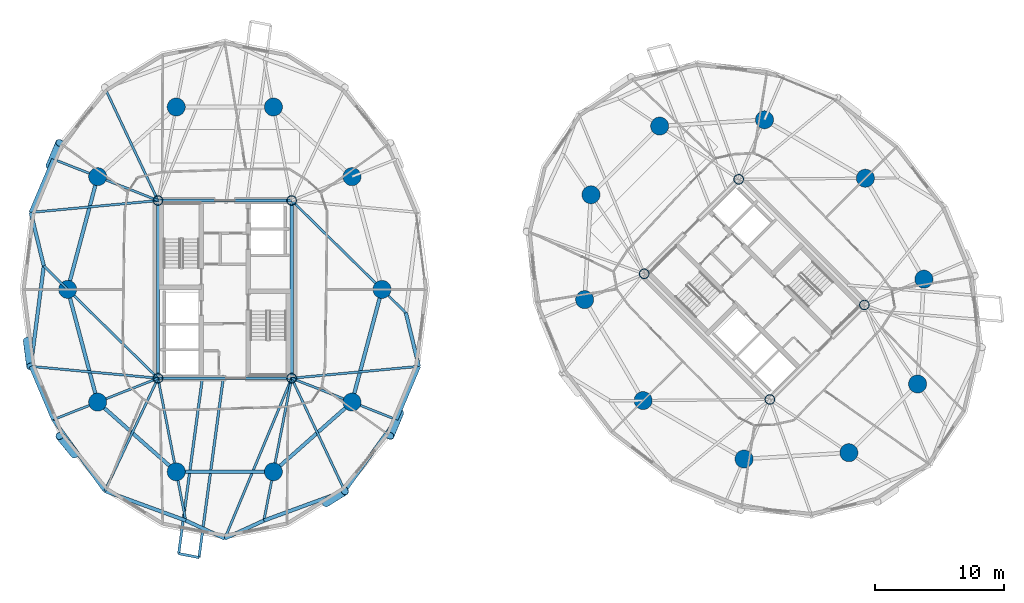
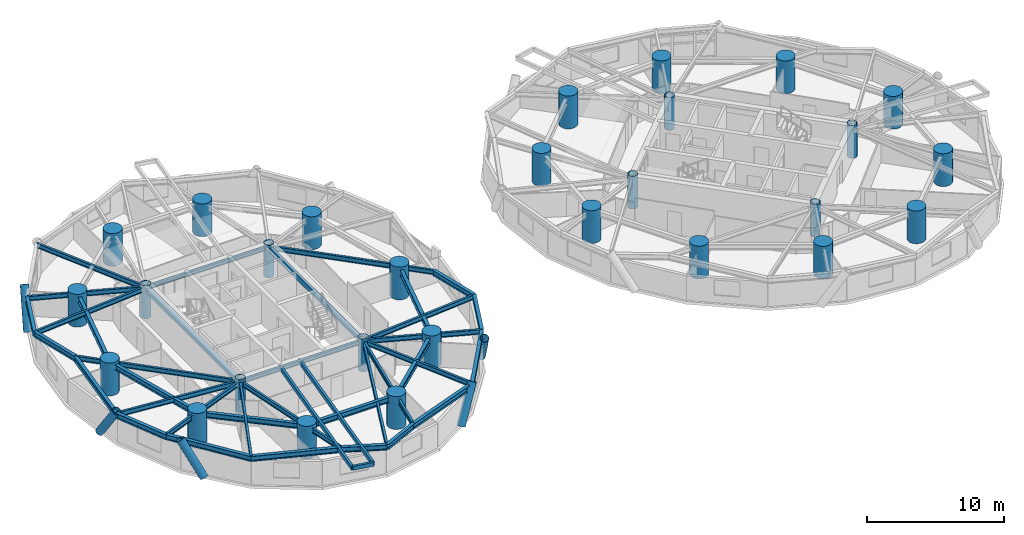
# One storey, part 1 of 16: 40 beams, 28 columns, 5 members.
"""IFC4 building model written with IfcOpenShell, lengths in metres."""

from ifc_helpers import new_model, si_unit, direction, frame, origin, origin_2d, place, context, subcontext, project, spatial, hollow_rectangle, circle, hollow_circle, i_section, extrude, material, material_profile, profile_set, type_object, element, save


model = new_model("IFC4")

# Units and contexts
model_context = context("Model", 3, precision=1e-05, world=origin(), true_north=direction((0.0, 1.0)))
body_context = subcontext(model_context, "Body", "Model", "MODEL_VIEW")
ifc_project = project(units=[si_unit("LENGTHUNIT", "METRE"), si_unit("AREAUNIT", "SQUARE_METRE"), si_unit("VOLUMEUNIT", "CUBIC_METRE"), si_unit("PLANEANGLEUNIT", "RADIAN"), si_unit("MASSUNIT", "GRAM", prefix="KILO")], contexts=[model_context])

# Site, building, storey
site_placement = place(None, origin())
site = spatial("IfcSite", under=ifc_project, at=site_placement, CompositionType="ELEMENT")
building_placement = place(site_placement, origin())
building = spatial("IfcBuilding", under=site, at=building_placement, Name="Cununo Teusaquillo Station Towers", CompositionType="ELEMENT")
storey_placement = place(building_placement, frame((0.0, 0.0, 99.25)))
storey = spatial("IfcBuildingStorey", under=building, at=storey_placement, Name="L31", CompositionType="ELEMENT", Elevation=99.25)

# Columns
ifc_material_1 = material(Name="Steel EN 10025-2 S355J2", Category="steel")
ifc_material_profile_1 = material_profile(ifc_material_1, hollow_circle(Radius=0.3798828125, WallThickness=0.031982421875, at=origin_2d()), Name="CHS 760x32")
ifc_profile_set_1 = profile_set([ifc_material_profile_1], Name="Steel EN 10025-2 S355J2")
column_type_1 = type_object("IfcColumnType", Name="COL-CORE-Z2", PredefinedType="COLUMN", material=ifc_profile_set_1)
for number, where, z_axis, x_axis, name in (
    (1, (11.324951171875, 17.6201171875, 0.0), (0.0, 0.0, 1.0), (1.0, 0.0, 0.0), "L31 Tower A Core Column 1"),
    (2, (11.324951171875, 31.3798828125, 0.0), (0.0, 0.0, 1.0), (1.0, 0.0, 0.0), "L31 Tower A Core Column 2"),
    (3, (21.675048828125, 17.6201171875, 0.0), (0.0, 0.0, 1.0), (1.0, 0.0, 0.0), "L31 Tower A Core Column 3"),
    (4, (21.675048828125, 31.3798828125, 0.0), (0.0, 0.0, 1.0), (1.0, 0.0, 0.0), "L31 Tower A Core Column 4"),
    (5, (58.70556640625, 15.975830078125, 0.0), (0.0, 0.0, 1.0), (0.707106781187, 0.707106781187, 0.0), "L31 Tower B Core Column 1"),
    (6, (48.975830078125, 25.70556640625, 0.0), (0.0, 0.0, 1.0), (0.707106781187, 0.707106781187, 0.0), "L31 Tower B Core Column 2"),
    (7, (66.024169921875, 23.29443359375, 0.0), (0.0, 0.0, 1.0), (0.707106781187, 0.707106781187, 0.0), "L31 Tower B Core Column 3"),
    (8, (56.29443359375, 33.024169921875, 0.0), (0.0, 0.0, 1.0), (0.707106781187, 0.707106781187, 0.0), "L31 Tower B Core Column 4"),
):
    element("IfcColumn", number, at=place(storey_placement, frame(where, z_axis=z_axis, x_axis=x_axis)), inside=storey, type_object=column_type_1, Name=name, PredefinedType="COLUMN", context=body_context, shape_type="SweptSolid", body=[
        extrude(hollow_circle(Radius=0.3798828125, WallThickness=0.031982421875, at=origin_2d()), origin(), (0.0, 0.0, 1.0), 2.909912109375),
    ])
ifc_material_2 = material(Name="Concrete C60/75", Category="concrete")
ifc_material_profile_2 = material_profile(ifc_material_2, circle(Radius=0.699951171875, at=origin_2d()), Name="RC-CIRC-1400")
ifc_profile_set_2 = profile_set([ifc_material_profile_2], Name="Concrete C60/75")
column_type_2 = type_object("IfcColumnType", Name="COL-MEGA-Z2", PredefinedType="USERDEFINED", material=ifc_profile_set_2)
for number, where, z_axis, x_axis, name in (
    (9, (28.672119140625, 24.5, 0.0), (0.0, 0.0, 1.0), (1.0, 0.0, 0.0), "L31 Tower A Perimeter Column V00"),
    (10, (26.347412109375, 33.228515625, 0.0), (0.0, 0.0, 1.0), (1.0, 0.0, 0.0), "L31 Tower A Perimeter Column V02"),
    (11, (20.261474609375, 38.623291015625, 0.0), (0.0, 0.0, 1.0), (1.0, 0.0, 0.0), "L31 Tower A Perimeter Column V04"),
    (12, (12.738525390625, 38.623291015625, 0.0), (0.0, 0.0, 1.0), (1.0, 0.0, 0.0), "L31 Tower A Perimeter Column V06"),
    (13, (6.652587890625, 33.228515625, 0.0), (0.0, 0.0, 1.0), (1.0, 0.0, 0.0), "L31 Tower A Perimeter Column V08"),
    (14, (4.327880859375, 24.5, 0.0), (0.0, 0.0, 1.0), (1.0, 0.0, 0.0), "L31 Tower A Perimeter Column V10"),
    (15, (6.652587890625, 15.771484375, 0.0), (0.0, 0.0, 1.0), (1.0, 0.0, 0.0), "L31 Tower A Perimeter Column V12"),
    (16, (12.738525390625, 10.376708984375, 0.0), (0.0, 0.0, 1.0), (1.0, 0.0, 0.0), "L31 Tower A Perimeter Column V14"),
    (17, (20.261474609375, 10.376708984375, 0.0), (0.0, 0.0, 1.0), (1.0, 0.0, 0.0), "L31 Tower A Perimeter Column V16"),
    (18, (26.347412109375, 15.771484375, 0.0), (0.0, 0.0, 1.0), (1.0, 0.0, 0.0), "L31 Tower A Perimeter Column V18"),
    (19, (66.10693359375, 33.10693359375, 0.0), (0.0, 0.0, 1.0), (1.0, 0.0, 0.0), "L31 Tower B Perimeter Column V00"),
    (20, (58.291015625, 37.63525390625, 0.0), (0.0, 0.0, 1.0), (1.0, 0.0, 0.0), "L31 Tower B Perimeter Column V02"),
    (21, (50.173095703125, 37.146240234375, 0.0), (0.0, 0.0, 1.0), (1.0, 0.0, 0.0), "L31 Tower B Perimeter Column V04"),
    (22, (44.853759765625, 31.826904296875, 0.0), (0.0, 0.0, 1.0), (1.0, 0.0, 0.0), "L31 Tower B Perimeter Column V06"),
    (23, (44.36474609375, 23.708984375, 0.0), (0.0, 0.0, 1.0), (1.0, 0.0, 0.0), "L31 Tower B Perimeter Column V08"),
    (24, (48.89306640625, 15.89306640625, 0.0), (0.0, 0.0, 1.0), (1.0, 0.0, 0.0), "L31 Tower B Perimeter Column V10"),
    (25, (56.708984375, 11.36474609375, 0.0), (0.0, 0.0, 1.0), (1.0, 0.0, 0.0), "L31 Tower B Perimeter Column V12"),
    (26, (64.826904296875, 11.853759765625, 0.0), (0.0, 0.0, 1.0), (1.0, 0.0, 0.0), "L31 Tower B Perimeter Column V14"),
    (27, (70.146240234375, 17.173095703125, 0.0), (0.0, 0.0, 1.0), (1.0, 0.0, 0.0), "L31 Tower B Perimeter Column V16"),
    (28, (70.63525390625, 25.291015625, 0.0), (0.0, 0.0, 1.0), (1.0, 0.0, 0.0), "L31 Tower B Perimeter Column V18"),
):
    element("IfcColumn", number, at=place(storey_placement, frame(where, z_axis=z_axis, x_axis=x_axis)), inside=storey, type_object=column_type_2, Name=name, ObjectType="MEGA COLUMN", PredefinedType="USERDEFINED", context=body_context, shape_type="SweptSolid", body=[
        extrude(circle(Radius=0.699951171875, at=origin_2d()), origin(), (0.0, 0.0, 1.0), 2.909912109375),
    ])

# Beams
ifc_material_3 = material(Name="Steel EN 10025-2 S355J2", Category="steel")
ifc_material_profile_3 = material_profile(ifc_material_3, hollow_rectangle(XDim=0.199951171875, YDim=0.35009765625, WallThickness=0.013916015625, at=origin_2d()), Name="RHS 350x200x14")
ifc_profile_set_3 = profile_set([ifc_material_profile_3], Name="Steel EN 10025-2 S355J2")
beam_type_1 = type_object("IfcBeamType", Name="BM-BAL-CANT", PredefinedType="BEAM", material=ifc_profile_set_3)
beam_1_placement = place(storey_placement, frame((14.793701171875, 17.85009765625, 2.4951171875), z_axis=(-0.133960678738, -0.990986648019, 0.0), x_axis=(0.990986648019, -0.133960678738, 0.0)))
element("IfcBeam", 29, at=beam_1_placement, inside=storey, type_object=beam_type_1, Name="L31 Tower A Balcony Cantilever Bracket 2A", PredefinedType="BEAM", context=body_context, shape_type="SweptSolid", body=[
    extrude(hollow_rectangle(XDim=0.199951171875, YDim=0.35009765625, WallThickness=0.013916015625, at=origin_2d()), origin(), (0.0, 0.0, 1.0), 13.9345703125),
])
beam_2_placement = place(storey_placement, frame((16.40869140625, 17.85009765625, 2.4951171875), z_axis=(-0.133936551357, -0.990989909237, 0.0), x_axis=(0.990989909237, -0.133936551357, 0.0)))
element("IfcBeam", 30, at=beam_2_placement, inside=storey, type_object=beam_type_1, Name="L31 Tower A Balcony Cantilever Bracket 2B", PredefinedType="BEAM", context=body_context, shape_type="SweptSolid", body=[
    extrude(hollow_rectangle(XDim=0.199951171875, YDim=0.35009765625, WallThickness=0.013916015625, at=origin_2d()), origin(), (0.0, 0.0, 1.0), 14.24169921875),
])
ifc_material_4 = material(Name="Steel EN 10025-2 S355J2", Category="steel")
ifc_material_profile_4 = material_profile(ifc_material_4, hollow_rectangle(XDim=0.25, YDim=0.449951171875, WallThickness=0.01611328125, at=origin_2d()), Name="RHS 450x250x16")
ifc_profile_set_4 = profile_set([ifc_material_profile_4], Name="Steel EN 10025-2 S355J2")
beam_type_2 = type_object("IfcBeamType", Name="BM-COUP-1", PredefinedType="USERDEFINED", material=ifc_profile_set_4)
for number, where, z_axis, x_axis, name in (
    (31, (11.324951171875, 17.6201171875, 2.445068359375), (0.0, 1.0, 0.0), (-1.0, 0.0, 0.0), "L31 Tower A Core Beam 1"),
    (32, (21.675048828125, 17.6201171875, 2.445068359375), (0.0, 1.0, 0.0), (-1.0, 0.0, 0.0), "L31 Tower A Core Beam 2"),
):
    element("IfcBeam", number, at=place(storey_placement, frame(where, z_axis=z_axis, x_axis=x_axis)), inside=storey, type_object=beam_type_2, Name=name, ObjectType="COUPLING BEAM", PredefinedType="USERDEFINED", context=body_context, shape_type="SweptSolid", body=[
        extrude(hollow_rectangle(XDim=0.25, YDim=0.449951171875, WallThickness=0.01611328125, at=origin_2d()), origin(), (0.0, 0.0, 1.0), 13.759765625),
    ])
ifc_material_5 = material(Name="Steel ASTM A572 Grade 50", Category="steel")
ifc_material_profile_5 = material_profile(ifc_material_5, i_section(OverallWidth=0.180908203125, OverallDepth=0.4169921875, WebThickness=0.010986328125, FlangeThickness=0.018310546875, FilletRadius=0.012939453125, at=origin_2d()), Name="W16X57")
ifc_profile_set_5 = profile_set([ifc_material_profile_5], Name="Steel ASTM A572 Grade 50")
beam_type_3 = type_object("IfcBeamType", Name="BM-JOIST-1", PredefinedType="JOIST", material=ifc_profile_set_5)
beam_3_placement = place(storey_placement, frame((11.324951171875, 31.3798828125, 2.46142578125), z_axis=(-0.426319838016, 0.904572493344, 0.0), x_axis=(-0.904572493344, -0.426319838016, 0.0)))
element("IfcBeam", 33, at=beam_3_placement, inside=storey, type_object=beam_type_3, Name="L31 Tower A Radial Spandrel Joist V07", PredefinedType="JOIST", context=body_context, shape_type="SweptSolid", body=[
    extrude(i_section(OverallWidth=0.180908203125, OverallDepth=0.4169921875, WebThickness=0.010986328125, FlangeThickness=0.018310546875, FilletRadius=0.012939453125, at=origin_2d()), origin(), (0.0, 0.0, 1.0), 9.646728515625),
])
for number, where, z_axis, x_axis, name in (
    (34, (11.324951171875, 31.3798828125, 2.46142578125), (-0.995678537907, -0.09286683558, 0.0), (0.09286683558, -0.995678537907, 0.0), "L31 Tower A Radial Spandrel Joist V09"),
    (35, (11.324951171875, 17.6201171875, 2.46142578125), (-0.995678537907, 0.09286683558, 0.0), (-0.09286683558, -0.995678537907, 0.0), "L31 Tower A Radial Spandrel Joist V11"),
):
    element("IfcBeam", number, at=place(storey_placement, frame(where, z_axis=z_axis, x_axis=x_axis)), inside=storey, type_object=beam_type_3, Name=name, PredefinedType="JOIST", context=body_context, shape_type="SweptSolid", body=[
        extrude(i_section(OverallWidth=0.180908203125, OverallDepth=0.4169921875, WebThickness=0.010986328125, FlangeThickness=0.018310546875, FilletRadius=0.012939453125, at=origin_2d()), origin(), (0.0, 0.0, 1.0), 9.895263671875),
    ])
beam_4_placement = place(storey_placement, frame((11.324951171875, 17.6201171875, 2.46142578125), z_axis=(-0.426319838016, -0.904572493344, 0.0), x_axis=(0.904572493344, -0.426319838016, 0.0)))
element("IfcBeam", 36, at=beam_4_placement, inside=storey, type_object=beam_type_3, Name="L31 Tower A Radial Spandrel Joist V13", PredefinedType="JOIST", context=body_context, shape_type="SweptSolid", body=[
    extrude(i_section(OverallWidth=0.180908203125, OverallDepth=0.4169921875, WebThickness=0.010986328125, FlangeThickness=0.018310546875, FilletRadius=0.012939453125, at=origin_2d()), origin(), (0.0, 0.0, 1.0), 9.646728515625),
])
beam_5_placement = place(storey_placement, frame((21.675048828125, 17.6201171875, 2.46142578125), z_axis=(-0.38487837995, -0.922967297713, 0.0), x_axis=(0.922967297713, -0.38487837995, 0.0)))
element("IfcBeam", 37, at=beam_5_placement, inside=storey, type_object=beam_type_3, Name="L31 Tower A Radial Spandrel Joist V15", PredefinedType="JOIST", context=body_context, shape_type="SweptSolid", body=[
    extrude(i_section(OverallWidth=0.180908203125, OverallDepth=0.4169921875, WebThickness=0.010986328125, FlangeThickness=0.018310546875, FilletRadius=0.012939453125, at=origin_2d()), origin(), (0.0, 0.0, 1.0), 13.446044921875),
])
beam_6_placement = place(storey_placement, frame((21.675048828125, 17.6201171875, 2.46142578125), z_axis=(0.426319838016, -0.904572493344, 0.0), x_axis=(0.904572493344, 0.426319838016, 0.0)))
element("IfcBeam", 38, at=beam_6_placement, inside=storey, type_object=beam_type_3, Name="L31 Tower A Radial Spandrel Joist V17", PredefinedType="JOIST", context=body_context, shape_type="SweptSolid", body=[
    extrude(i_section(OverallWidth=0.180908203125, OverallDepth=0.4169921875, WebThickness=0.010986328125, FlangeThickness=0.018310546875, FilletRadius=0.012939453125, at=origin_2d()), origin(), (0.0, 0.0, 1.0), 9.646728515625),
])
beam_7_placement = place(storey_placement, frame((21.675048828125, 17.6201171875, 2.46142578125), z_axis=(0.995678537907, 0.09286683558, 0.0), x_axis=(-0.09286683558, 0.995678537907, 0.0)))
element("IfcBeam", 39, at=beam_7_placement, inside=storey, type_object=beam_type_3, Name="L31 Tower A Radial Spandrel Joist V19", PredefinedType="JOIST", context=body_context, shape_type="SweptSolid", body=[
    extrude(i_section(OverallWidth=0.180908203125, OverallDepth=0.4169921875, WebThickness=0.010986328125, FlangeThickness=0.018310546875, FilletRadius=0.012939453125, at=origin_2d()), origin(), (0.0, 0.0, 1.0), 9.895263671875),
])
ifc_material_6 = material(Name="Steel ASTM A572 Grade 50", Category="steel")
ifc_material_profile_6 = material_profile(ifc_material_6, i_section(OverallWidth=0.2041015625, OverallDepth=0.35009765625, WebThickness=0.008544921875, FlangeThickness=0.01513671875, FilletRadius=0.011962890625, at=origin_2d()), Name="W14X48")
ifc_profile_set_6 = profile_set([ifc_material_profile_6], Name="Steel ASTM A572 Grade 50")
beam_type_4 = type_object("IfcBeamType", Name="BM-LINTEL-1", PredefinedType="LINTEL", material=ifc_profile_set_6)
for number, where, z_axis, x_axis, name in (
    (40, (11.324951171875, 17.6201171875, 2.4951171875), (1.0, 0.0, 0.0), (0.0, 1.0, 0.0), "L31 Tower A Core Beam 3"),
    (41, (11.324951171875, 31.3798828125, 2.4951171875), (1.0, 0.0, 0.0), (0.0, 1.0, 0.0), "L31 Tower A Core Beam 4"),
):
    element("IfcBeam", number, at=place(storey_placement, frame(where, z_axis=z_axis, x_axis=x_axis)), inside=storey, type_object=beam_type_4, Name=name, PredefinedType="LINTEL", context=body_context, shape_type="SweptSolid", body=[
        extrude(i_section(OverallWidth=0.2041015625, OverallDepth=0.35009765625, WebThickness=0.008544921875, FlangeThickness=0.01513671875, FilletRadius=0.011962890625, at=origin_2d()), origin(), (0.0, 0.0, 1.0), 10.35009765625),
    ])
ifc_material_7 = material(Name="Steel ASTM A572 Grade 50", Category="steel")
ifc_material_profile_7 = material_profile(ifc_material_7, i_section(OverallWidth=0.180908203125, OverallDepth=0.4169921875, WebThickness=0.010986328125, FlangeThickness=0.018310546875, FilletRadius=0.012939453125, at=origin_2d()), Name="W16X57")
ifc_profile_set_7 = profile_set([ifc_material_profile_7], Name="Steel ASTM A572 Grade 50")
beam_type_5 = type_object("IfcBeamType", Name="BM-RAD-G2", PredefinedType="BEAM", material=ifc_profile_set_7)
beam_8_placement = place(storey_placement, frame((21.675048828125, 31.3798828125, 2.46142578125), z_axis=(0.713047137857, -0.701116095375, 0.0), x_axis=(0.701116095375, 0.713047137857, 0.0)))
element("IfcBeam", 42, at=beam_8_placement, inside=storey, type_object=beam_type_5, Name="L31 Tower A Continuous Overhanging Radial Girder 01", PredefinedType="BEAM", context=body_context, shape_type="SweptSolid", body=[
    extrude(i_section(OverallWidth=0.180908203125, OverallDepth=0.4169921875, WebThickness=0.010986328125, FlangeThickness=0.018310546875, FilletRadius=0.012939453125, at=origin_2d()), origin(), (0.0, 0.0, 1.0), 12.400390625),
])
beam_9_placement = place(storey_placement, frame((11.324951171875, 31.3798828125, 2.46142578125), z_axis=(-0.929863123823, 0.367905654963, 0.0), x_axis=(-0.367905654963, -0.929863123823, 0.0)))
element("IfcBeam", 43, at=beam_9_placement, inside=storey, type_object=beam_type_5, Name="L31 Tower A Continuous Overhanging Radial Girder 05", PredefinedType="BEAM", context=body_context, shape_type="SweptSolid", body=[
    extrude(i_section(OverallWidth=0.180908203125, OverallDepth=0.4169921875, WebThickness=0.010986328125, FlangeThickness=0.018310546875, FilletRadius=0.012939453125, at=origin_2d()), origin(), (0.0, 0.0, 1.0), 8.715087890625),
])
beam_10_placement = place(storey_placement, frame((11.324951171875, 17.6201171875, 2.46142578125), z_axis=(-0.713052701438, 0.701110437073, 0.0), x_axis=(-0.701110437073, -0.713052701438, 0.0)))
element("IfcBeam", 44, at=beam_10_placement, inside=storey, type_object=beam_type_5, Name="L31 Tower A Radial Girder 06A", PredefinedType="BEAM", context=body_context, shape_type="SweptSolid", body=[
    extrude(i_section(OverallWidth=0.180908203125, OverallDepth=0.4169921875, WebThickness=0.010986328125, FlangeThickness=0.018310546875, FilletRadius=0.012939453125, at=origin_2d()), origin(), (0.0, 0.0, 1.0), 9.812744140625),
])
beam_11_placement = place(storey_placement, frame((4.327880859375, 24.5, 2.46142578125), z_axis=(-0.7130260383, 0.701137553342, 0.0), x_axis=(-0.701137553342, -0.7130260383, 0.0)))
element("IfcBeam", 45, at=beam_11_placement, inside=storey, type_object=beam_type_5, Name="L31 Tower A Perimeter Overhang Girder 06B", PredefinedType="BEAM", context=body_context, shape_type="SweptSolid", body=[
    extrude(i_section(OverallWidth=0.180908203125, OverallDepth=0.4169921875, WebThickness=0.010986328125, FlangeThickness=0.018310546875, FilletRadius=0.012939453125, at=origin_2d()), origin(), (0.0, 0.0, 1.0), 2.58740234375),
])
beam_12_placement = place(storey_placement, frame((11.324951171875, 17.6201171875, 2.46142578125), z_axis=(-0.929863123823, -0.367905654963, 0.0), x_axis=(0.367905654963, -0.929863123823, 0.0)))
element("IfcBeam", 46, at=beam_12_placement, inside=storey, type_object=beam_type_5, Name="L31 Tower A Continuous Overhanging Radial Girder 07", PredefinedType="BEAM", context=body_context, shape_type="SweptSolid", body=[
    extrude(i_section(OverallWidth=0.180908203125, OverallDepth=0.4169921875, WebThickness=0.010986328125, FlangeThickness=0.018310546875, FilletRadius=0.012939453125, at=origin_2d()), origin(), (0.0, 0.0, 1.0), 8.715087890625),
])
for number, where, z_axis, x_axis, name in (
    (47, (11.324951171875, 17.6201171875, 2.46142578125), (0.191552755713, -0.981482318628, 0.0), (0.981482318628, 0.191552755713, 0.0), "L31 Tower A Continuous Overhanging Radial Girder 08"),
    (48, (21.675048828125, 17.6201171875, 2.46142578125), (-0.191552755713, -0.981482318628, 0.0), (0.981482318628, -0.191552755713, 0.0), "L31 Tower A Continuous Overhanging Radial Girder 09"),
):
    element("IfcBeam", number, at=place(storey_placement, frame(where, z_axis=z_axis, x_axis=x_axis)), inside=storey, type_object=beam_type_5, Name=name, PredefinedType="BEAM", context=body_context, shape_type="SweptSolid", body=[
        extrude(i_section(OverallWidth=0.180908203125, OverallDepth=0.4169921875, WebThickness=0.010986328125, FlangeThickness=0.018310546875, FilletRadius=0.012939453125, at=origin_2d()), origin(), (0.0, 0.0, 1.0), 11.22998046875),
    ])
beam_13_placement = place(storey_placement, frame((21.675048828125, 17.6201171875, 2.46142578125), z_axis=(0.929863123823, -0.367905654963, 0.0), x_axis=(0.367905654963, 0.929863123823, 0.0)))
element("IfcBeam", 49, at=beam_13_placement, inside=storey, type_object=beam_type_5, Name="L31 Tower A Continuous Overhanging Radial Girder 10", PredefinedType="BEAM", context=body_context, shape_type="SweptSolid", body=[
    extrude(i_section(OverallWidth=0.180908203125, OverallDepth=0.4169921875, WebThickness=0.010986328125, FlangeThickness=0.018310546875, FilletRadius=0.012939453125, at=origin_2d()), origin(), (0.0, 0.0, 1.0), 8.715087890625),
])
ifc_material_8 = material(Name="Steel ASTM A572 Grade 50", Category="steel")
ifc_material_profile_8 = material_profile(ifc_material_8, i_section(OverallWidth=0.280029296875, OverallDepth=0.462890625, WebThickness=0.0107421875, FlangeThickness=0.017333984375, FilletRadius=0.013916015625, at=origin_2d()), Name="W18X76")
ifc_profile_set_8 = profile_set([ifc_material_profile_8], Name="Steel ASTM A572 Grade 50")
beam_type_6 = type_object("IfcBeamType", Name="BM-RING-Z2", PredefinedType="SPANDREL", material=ifc_profile_set_8)
for number, where, z_axis, x_axis, name in (
    (50, (6.652587890625, 33.228515625, 2.4384765625), (-0.257363196347, -0.966314744359, 0.0), (0.966314744359, -0.257363196347, 0.0), "L31 Tower A Structural Column Ring Girder 05"),
    (51, (4.327880859375, 24.5, 2.4384765625), (0.257363196347, -0.966314744359, 0.0), (0.966314744359, 0.257363196347, 0.0), "L31 Tower A Structural Column Ring Girder 06"),
):
    element("IfcBeam", number, at=place(storey_placement, frame(where, z_axis=z_axis, x_axis=x_axis)), inside=storey, type_object=beam_type_6, Name=name, PredefinedType="SPANDREL", context=body_context, shape_type="SweptSolid", body=[
        extrude(i_section(OverallWidth=0.280029296875, OverallDepth=0.462890625, WebThickness=0.0107421875, FlangeThickness=0.017333984375, FilletRadius=0.013916015625, at=origin_2d()), origin(), (0.0, 0.0, 1.0), 9.03271484375),
    ])
beam_14_placement = place(storey_placement, frame((6.652587890625, 15.771484375, 2.4384765625), z_axis=(0.74832120039, -0.66333655187, 0.0), x_axis=(0.66333655187, 0.74832120039, 0.0)))
element("IfcBeam", 52, at=beam_14_placement, inside=storey, type_object=beam_type_6, Name="L31 Tower A Structural Column Ring Girder 07", PredefinedType="SPANDREL", context=body_context, shape_type="SweptSolid", body=[
    extrude(i_section(OverallWidth=0.280029296875, OverallDepth=0.462890625, WebThickness=0.0107421875, FlangeThickness=0.017333984375, FilletRadius=0.013916015625, at=origin_2d()), origin(), (0.0, 0.0, 1.0), 8.1328125),
])
beam_15_placement = place(storey_placement, frame((12.738525390625, 10.376708984375, 2.4384765625), z_axis=(1.0, 0.0, 0.0), x_axis=(0.0, 1.0, 0.0)))
element("IfcBeam", 53, at=beam_15_placement, inside=storey, type_object=beam_type_6, Name="L31 Tower A Structural Column Ring Girder 08", PredefinedType="SPANDREL", context=body_context, shape_type="SweptSolid", body=[
    extrude(i_section(OverallWidth=0.280029296875, OverallDepth=0.462890625, WebThickness=0.0107421875, FlangeThickness=0.017333984375, FilletRadius=0.013916015625, at=origin_2d()), origin(), (0.0, 0.0, 1.0), 7.52294921875),
])
beam_16_placement = place(storey_placement, frame((20.261474609375, 10.376708984375, 2.4384765625), z_axis=(0.74832120039, 0.66333655187, 0.0), x_axis=(-0.66333655187, 0.74832120039, 0.0)))
element("IfcBeam", 54, at=beam_16_placement, inside=storey, type_object=beam_type_6, Name="L31 Tower A Structural Column Ring Girder 09", PredefinedType="SPANDREL", context=body_context, shape_type="SweptSolid", body=[
    extrude(i_section(OverallWidth=0.280029296875, OverallDepth=0.462890625, WebThickness=0.0107421875, FlangeThickness=0.017333984375, FilletRadius=0.013916015625, at=origin_2d()), origin(), (0.0, 0.0, 1.0), 8.1328125),
])
beam_17_placement = place(storey_placement, frame((26.347412109375, 15.771484375, 2.4384765625), z_axis=(0.257363196347, 0.966314744359, 0.0), x_axis=(-0.966314744359, 0.257363196347, 0.0)))
element("IfcBeam", 55, at=beam_17_placement, inside=storey, type_object=beam_type_6, Name="L31 Tower A Structural Column Ring Girder 10", PredefinedType="SPANDREL", context=body_context, shape_type="SweptSolid", body=[
    extrude(i_section(OverallWidth=0.280029296875, OverallDepth=0.462890625, WebThickness=0.0107421875, FlangeThickness=0.017333984375, FilletRadius=0.013916015625, at=origin_2d()), origin(), (0.0, 0.0, 1.0), 9.03271484375),
])
beam_18_placement = place(storey_placement, frame((3.22119140625, 34.586181640625, 2.4384765625), z_axis=(-0.390299356049, -0.920688010494, 0.0), x_axis=(0.920688010494, -0.390299356049, 0.0)))
element("IfcBeam", 56, at=beam_18_placement, inside=storey, type_object=beam_type_6, Name="L31 Tower A Spandrel Ring Beam 09", PredefinedType="SPANDREL", context=body_context, shape_type="SweptSolid", body=[
    extrude(i_section(OverallWidth=0.280029296875, OverallDepth=0.462890625, WebThickness=0.0107421875, FlangeThickness=0.017333984375, FilletRadius=0.013916015625, at=origin_2d()), origin(), (0.0, 0.0, 1.0), 4.480712890625),
])
beam_19_placement = place(storey_placement, frame((1.472412109375, 30.4609375, 2.4384765625), z_axis=(0.236757334703, -0.971568816124, 0.0), x_axis=(0.971568816124, 0.236757334703, 0.0)))
element("IfcBeam", 57, at=beam_19_placement, inside=storey, type_object=beam_type_6, Name="L31 Tower A Spandrel Ring Beam 10", PredefinedType="SPANDREL", context=body_context, shape_type="SweptSolid", body=[
    extrude(i_section(OverallWidth=0.280029296875, OverallDepth=0.462890625, WebThickness=0.0107421875, FlangeThickness=0.017333984375, FilletRadius=0.013916015625, at=origin_2d()), origin(), (0.0, 0.0, 1.0), 4.26806640625),
])
beam_20_placement = place(storey_placement, frame((2.48291015625, 26.314208984375, 2.4384765625), z_axis=(-0.12888124113, -0.991660035337, 0.0), x_axis=(0.991660035337, -0.12888124113, 0.0)))
element("IfcBeam", 58, at=beam_20_placement, inside=storey, type_object=beam_type_6, Name="L31 Tower A Spandrel Ring Beam 11", PredefinedType="SPANDREL", context=body_context, shape_type="SweptSolid", body=[
    extrude(i_section(OverallWidth=0.280029296875, OverallDepth=0.462890625, WebThickness=0.0107421875, FlangeThickness=0.017333984375, FilletRadius=0.013916015625, at=origin_2d()), origin(), (0.0, 0.0, 1.0), 7.840576171875),
])
beam_21_placement = place(storey_placement, frame((1.472412109375, 18.5390625, 2.4384765625), z_axis=(0.390299356049, -0.920688010494, 0.0), x_axis=(0.920688010494, 0.390299356049, 0.0)))
element("IfcBeam", 59, at=beam_21_placement, inside=storey, type_object=beam_type_6, Name="L31 Tower A Spandrel Ring Beam 12", PredefinedType="SPANDREL", context=body_context, shape_type="SweptSolid", body=[
    extrude(i_section(OverallWidth=0.280029296875, OverallDepth=0.462890625, WebThickness=0.0107421875, FlangeThickness=0.017333984375, FilletRadius=0.013916015625, at=origin_2d()), origin(), (0.0, 0.0, 1.0), 4.480712890625),
])
beam_22_placement = place(storey_placement, frame((3.22119140625, 14.413818359375, 2.4384765625), z_axis=(0.58594455724, -0.810351143543, 0.0), x_axis=(0.810351143543, 0.58594455724, 0.0)))
element("IfcBeam", 60, at=beam_22_placement, inside=storey, type_object=beam_type_6, Name="L31 Tower A Spandrel Ring Beam 13", PredefinedType="SPANDREL", context=body_context, shape_type="SweptSolid", body=[
    extrude(i_section(OverallWidth=0.280029296875, OverallDepth=0.462890625, WebThickness=0.0107421875, FlangeThickness=0.017333984375, FilletRadius=0.013916015625, at=origin_2d()), origin(), (0.0, 0.0, 1.0), 6.8115234375),
])
beam_23_placement = place(storey_placement, frame((7.21240234375, 8.89404296875, 2.4384765625), z_axis=(0.938914161016, -0.34415141761, 0.0), x_axis=(0.34415141761, 0.938914161016, 0.0)))
element("IfcBeam", 61, at=beam_23_placement, inside=storey, type_object=beam_type_6, Name="L31 Tower A Spandrel Ring Beam 14", PredefinedType="SPANDREL", context=body_context, shape_type="SweptSolid", body=[
    extrude(i_section(OverallWidth=0.280029296875, OverallDepth=0.462890625, WebThickness=0.0107421875, FlangeThickness=0.017333984375, FilletRadius=0.013916015625, at=origin_2d()), origin(), (0.0, 0.0, 1.0), 6.671142578125),
])
for number, where, z_axis, x_axis, name in (
    (62, (13.47607421875, 6.59814453125, 2.4384765625), (0.908812215281, -0.417205413862, 0.0), (0.417205413862, 0.908812215281, 0.0), "L31 Tower A Spandrel Ring Beam 15"),
    (63, (16.5, 5.2099609375, 2.4384765625), (0.908812215281, 0.417205413862, 0.0), (-0.417205413862, 0.908812215281, 0.0), "L31 Tower A Spandrel Ring Beam 16"),
):
    element("IfcBeam", number, at=place(storey_placement, frame(where, z_axis=z_axis, x_axis=x_axis)), inside=storey, type_object=beam_type_6, Name=name, PredefinedType="SPANDREL", context=body_context, shape_type="SweptSolid", body=[
        extrude(i_section(OverallWidth=0.280029296875, OverallDepth=0.462890625, WebThickness=0.0107421875, FlangeThickness=0.017333984375, FilletRadius=0.013916015625, at=origin_2d()), origin(), (0.0, 0.0, 1.0), 3.327392578125),
    ])
beam_24_placement = place(storey_placement, frame((19.52392578125, 6.59814453125, 2.4384765625), z_axis=(0.938914161016, 0.34415141761, 0.0), x_axis=(-0.34415141761, 0.938914161016, 0.0)))
element("IfcBeam", 64, at=beam_24_placement, inside=storey, type_object=beam_type_6, Name="L31 Tower A Spandrel Ring Beam 17", PredefinedType="SPANDREL", context=body_context, shape_type="SweptSolid", body=[
    extrude(i_section(OverallWidth=0.280029296875, OverallDepth=0.462890625, WebThickness=0.0107421875, FlangeThickness=0.017333984375, FilletRadius=0.013916015625, at=origin_2d()), origin(), (0.0, 0.0, 1.0), 6.671142578125),
])
beam_25_placement = place(storey_placement, frame((25.78759765625, 8.89404296875, 2.4384765625), z_axis=(0.58594455724, 0.810351143543, 0.0), x_axis=(-0.810351143543, 0.58594455724, 0.0)))
element("IfcBeam", 65, at=beam_25_placement, inside=storey, type_object=beam_type_6, Name="L31 Tower A Spandrel Ring Beam 18", PredefinedType="SPANDREL", context=body_context, shape_type="SweptSolid", body=[
    extrude(i_section(OverallWidth=0.280029296875, OverallDepth=0.462890625, WebThickness=0.0107421875, FlangeThickness=0.017333984375, FilletRadius=0.013916015625, at=origin_2d()), origin(), (0.0, 0.0, 1.0), 6.8115234375),
])
beam_26_placement = place(storey_placement, frame((29.77880859375, 14.413818359375, 2.4384765625), z_axis=(0.390299356049, 0.920688010494, 0.0), x_axis=(-0.920688010494, 0.390299356049, 0.0)))
element("IfcBeam", 66, at=beam_26_placement, inside=storey, type_object=beam_type_6, Name="L31 Tower A Spandrel Ring Beam 19", PredefinedType="SPANDREL", context=body_context, shape_type="SweptSolid", body=[
    extrude(i_section(OverallWidth=0.280029296875, OverallDepth=0.462890625, WebThickness=0.0107421875, FlangeThickness=0.017333984375, FilletRadius=0.013916015625, at=origin_2d()), origin(), (0.0, 0.0, 1.0), 4.480712890625),
])
beam_27_placement = place(storey_placement, frame((31.527587890625, 18.5390625, 2.4384765625), z_axis=(-0.236757334703, 0.971568816124, 0.0), x_axis=(-0.971568816124, -0.236757334703, 0.0)))
element("IfcBeam", 67, at=beam_27_placement, inside=storey, type_object=beam_type_6, Name="L31 Tower A Spandrel Ring Beam 20", PredefinedType="SPANDREL", context=body_context, shape_type="SweptSolid", body=[
    extrude(i_section(OverallWidth=0.280029296875, OverallDepth=0.462890625, WebThickness=0.0107421875, FlangeThickness=0.017333984375, FilletRadius=0.013916015625, at=origin_2d()), origin(), (0.0, 0.0, 1.0), 4.26806640625),
])
ifc_material_9 = material(Name="Steel EN 10025-2 S355J2", Category="steel")
ifc_material_profile_9 = material_profile(ifc_material_9, hollow_rectangle(XDim=0.199951171875, YDim=0.35009765625, WallThickness=0.013916015625, at=origin_2d()), Name="RHS 350x200x14")
ifc_profile_set_9 = profile_set([ifc_material_profile_9], Name="Steel EN 10025-2 S355J2")
beam_type_7 = type_object("IfcBeamType", Name="BM-STAIR-TRIM", PredefinedType="BEAM", material=ifc_profile_set_9)
beam_28_placement = place(storey_placement, frame((12.927001953125, 4.041015625, 2.52490234375), z_axis=(0.981836621572, -0.189728354603, 0.0), x_axis=(0.189728354603, 0.981836621572, 0.0)))
element("IfcBeam", 68, at=beam_28_placement, inside=storey, type_object=beam_type_7, Name="L31 Tower A Balcony Edge Trimmer Beam 2", PredefinedType="BEAM", context=body_context, shape_type="SweptSolid", body=[
    extrude(hollow_rectangle(XDim=0.199951171875, YDim=0.35009765625, WallThickness=0.013916015625, at=origin_2d()), origin(), (0.0, 0.0, 1.0), 1.603271484375),
])

# Members
ifc_material_10 = material(Name="Steel EN 10025-2 S355J2", Category="steel")
ifc_material_profile_10 = material_profile(ifc_material_10, hollow_circle(Radius=0.330078125, WallThickness=0.02490234375, at=origin_2d()), Name="CHS 660x25")
ifc_profile_set_10 = profile_set([ifc_material_profile_10], Name="Steel EN 10025-2 S355J2")
member_type = type_object("IfcMemberType", Name="MBR-DIAG-Z2", PredefinedType="BRACE", material=ifc_profile_set_10)
member_1_placement = place(storey_placement, frame((2.968505859375, 34.0458984375, -0.139892578125), z_axis=(0.213880258627, 0.512335679883, 0.831725547334), x_axis=(-0.922816406816, 0.385240028179, 0.0)))
element("IfcMember", 69, at=member_1_placement, inside=storey, type_object=member_type, Name="L31 Tower A Folded-Zigzag Diagrid Tube C08", PredefinedType="BRACE", context=body_context, shape_type="SweptSolid", body=[
    extrude(hollow_circle(Radius=0.330078125, WallThickness=0.02490234375, at=origin_2d()), origin(), (0.0, 0.0, 1.0), 3.49853515625),
])
member_2_placement = place(storey_placement, frame((1.214599609375, 20.526123046875, -0.139892578125), z_axis=(0.072971585914, -0.562420206205, 0.823625314874), x_axis=(0.991687829619, 0.128667200894, 0.0)))
element("IfcMember", 70, at=member_2_placement, inside=storey, type_object=member_type, Name="L31 Tower A Folded-Zigzag Diagrid Tube C10", PredefinedType="BRACE", context=body_context, shape_type="SweptSolid", body=[
    extrude(hollow_circle(Radius=0.330078125, WallThickness=0.02490234375, at=origin_2d()), origin(), (0.0, 0.0, 1.0), 3.532958984375),
])
member_3_placement = place(storey_placement, frame((4.8818359375, 11.739013671875, -0.139892578125), z_axis=(-0.33845803995, 0.413284786, 0.845364915793), x_axis=(-0.773667352654, -0.633592003924, 0.0)))
element("IfcMember", 71, at=member_3_placement, inside=storey, type_object=member_type, Name="L31 Tower A Folded-Zigzag Diagrid Tube C12", PredefinedType="BRACE", context=body_context, shape_type="SweptSolid", body=[
    extrude(hollow_circle(Radius=0.330078125, WallThickness=0.02490234375, at=origin_2d()), origin(), (0.0, 0.0, 1.0), 3.442138671875),
])
member_4_placement = place(storey_placement, frame((24.3193359375, 7.980712890625, -0.139892578125), z_axis=(0.433768032271, 0.269824776975, 0.859674289432), x_axis=(-0.528195574716, 0.849122744278, 0.0)))
element("IfcMember", 72, at=member_4_placement, inside=storey, type_object=member_type, Name="L31 Tower A Folded-Zigzag Diagrid Tube C16", PredefinedType="BRACE", context=body_context, shape_type="SweptSolid", body=[
    extrude(hollow_circle(Radius=0.330078125, WallThickness=0.02490234375, at=origin_2d()), origin(), (0.0, 0.0, 1.0), 3.385009765625),
])
member_5_placement = place(storey_placement, frame((30.031494140625, 14.9541015625, -0.139892578125), z_axis=(-0.213880258627, -0.512335679883, 0.831725547334), x_axis=(0.922816406816, -0.385240028179, 0.0)))
element("IfcMember", 73, at=member_5_placement, inside=storey, type_object=member_type, Name="L31 Tower A Folded-Zigzag Diagrid Tube C18", PredefinedType="BRACE", context=body_context, shape_type="SweptSolid", body=[
    extrude(hollow_circle(Radius=0.330078125, WallThickness=0.02490234375, at=origin_2d()), origin(), (0.0, 0.0, 1.0), 3.49853515625),
])

save(model, "model.ifc")
